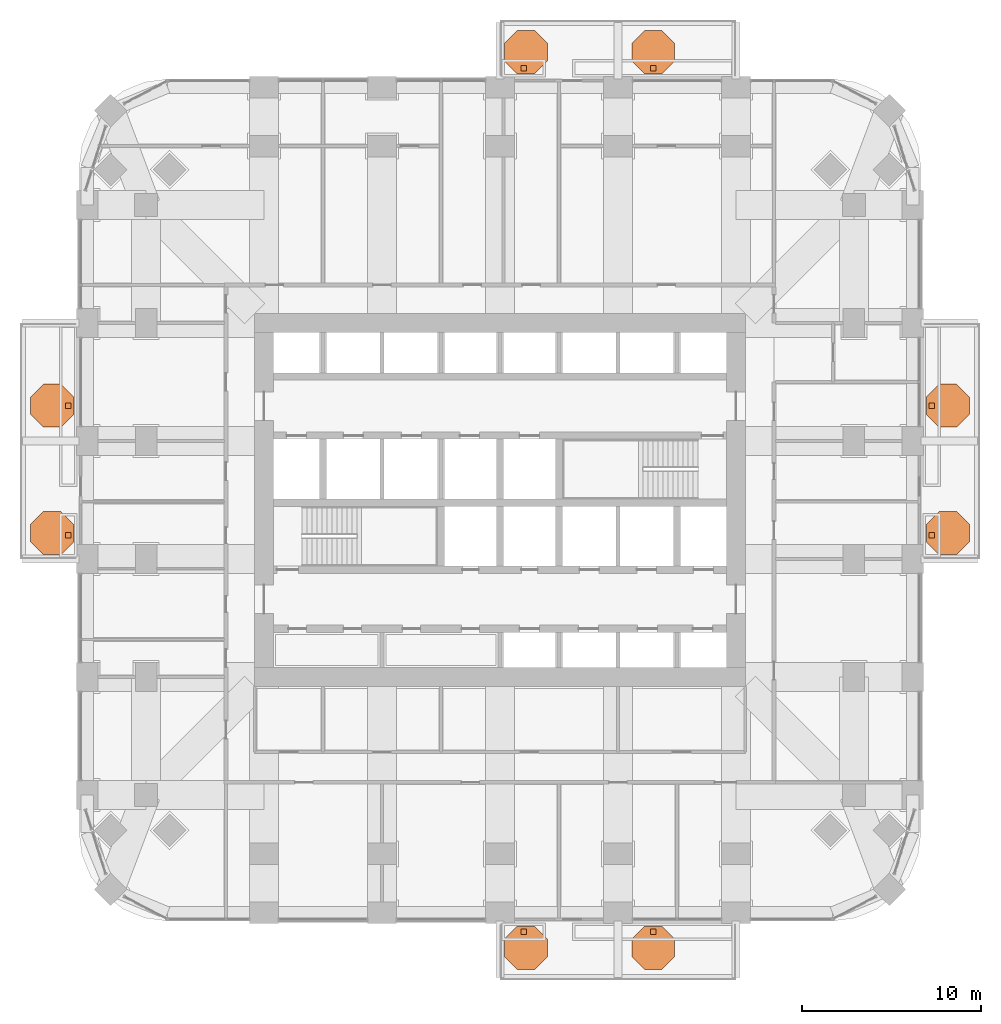
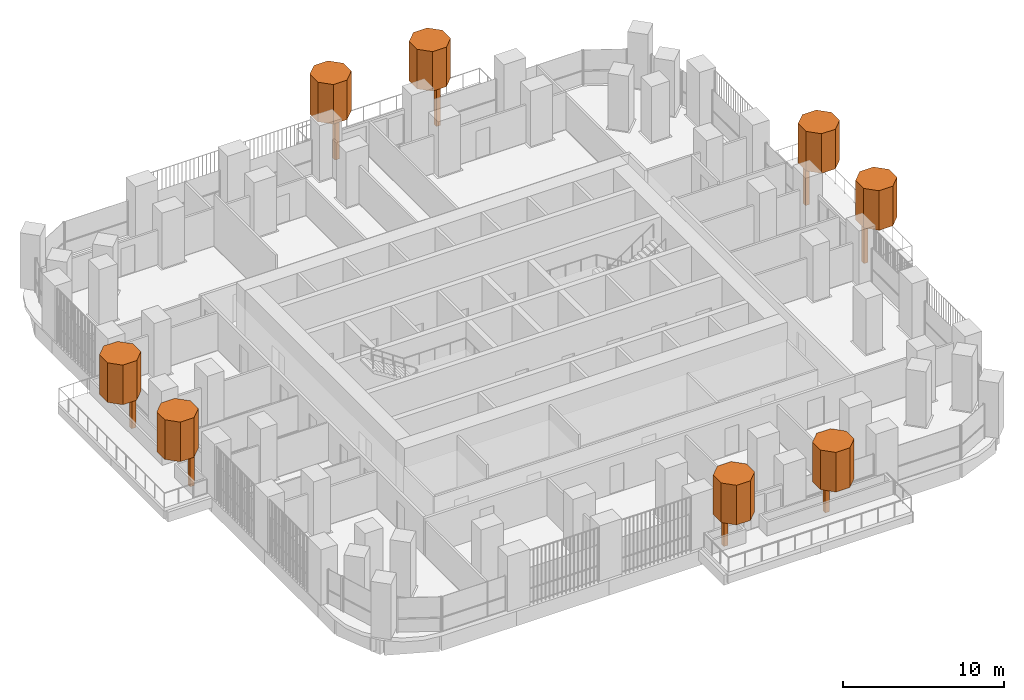
# One storey, part 22 of 22: 16 geographic elements.
"""IFC4 building model written with IfcOpenShell, lengths in metres."""

from ifc_helpers import new_model, si_unit, direction, frame, origin, origin_2d, place, context, subcontext, project, spatial, polyline, rectangle, outline, extrude, material, type_object, element, save


model = new_model("IFC4")

# Units and contexts
model_context = context("Model", 3, precision=1e-05, world=origin(), true_north=direction((0.0, 1.0)))
body_context = subcontext(model_context, "Body", "Model", "MODEL_VIEW")
ifc_project = project(units=[si_unit("LENGTHUNIT", "METRE"), si_unit("AREAUNIT", "SQUARE_METRE"), si_unit("VOLUMEUNIT", "CUBIC_METRE"), si_unit("PLANEANGLEUNIT", "RADIAN"), si_unit("MASSUNIT", "GRAM", prefix="KILO")], contexts=[model_context])

# Site, building, storey
site_placement = place(None, origin())
site = spatial("IfcSite", under=ifc_project, at=site_placement, CompositionType="ELEMENT")
building_placement = place(site_placement, origin())
building = spatial("IfcBuilding", under=site, at=building_placement, Name="Cobogo Forest Laboratory Tower", CompositionType="ELEMENT")
storey_placement = place(building_placement, frame((0.0, 0.0, 136.800048828125)))
storey = spatial("IfcBuildingStorey", under=building, at=storey_placement, Name="L31", CompositionType="ELEMENT", Elevation=136.800048828125)

# Geographic elements
ifc_material = material(Name="Planting", Category="plant")
geographic_element_type_1 = type_object("IfcGeographicElementType", Name="Tree trunk 300", PredefinedType="USERDEFINED", material=ifc_material)
for number, where, z_axis, x_axis, name in (
    (1, (27.72509765625, -1.050048828125, 0.0), (0.0, 0.0, 1.0), (1.0, 0.0, 0.0), "Tree trunk BAL-S1-PL1 L31"),
    (2, (34.97509765625, -1.050048828125, 0.0), (0.0, 0.0, 1.0), (1.0, 0.0, 0.0), "Tree trunk BAL-S1-PL2 L31"),
    (3, (50.550048828125, 21.125, 0.0), (0.0, 0.0, 1.0), (1.0, 0.0, 0.0), "Tree trunk BAL-E1-PL1 L31"),
    (4, (50.550048828125, 28.375, 0.0), (0.0, 0.0, 1.0), (1.0, 0.0, 0.0), "Tree trunk BAL-E1-PL2 L31"),
    (5, (27.72509765625, 47.25, 0.0), (0.0, 0.0, 1.0), (1.0, 0.0, 0.0), "Tree trunk BAL-N1-PL1 L31"),
    (6, (34.97509765625, 47.25, 0.0), (0.0, 0.0, 1.0), (1.0, 0.0, 0.0), "Tree trunk BAL-N1-PL2 L31"),
    (7, (2.25, 21.125, 0.0), (0.0, 0.0, 1.0), (1.0, 0.0, 0.0), "Tree trunk BAL-W1-PL1 L31"),
    (8, (2.25, 28.375, 0.0), (0.0, 0.0, 1.0), (1.0, 0.0, 0.0), "Tree trunk BAL-W1-PL2 L31"),
):
    element("IfcGeographicElement", number, at=place(storey_placement, frame(where, z_axis=z_axis, x_axis=x_axis)), inside=storey, type_object=geographic_element_type_1, Name=name, ObjectType="TREE TRUNK", PredefinedType="USERDEFINED", context=body_context, shape_type="SweptSolid", body=[
        extrude(rectangle(XDim=0.300048828125, YDim=0.300048828125, at=origin_2d()), origin(), (0.0, 0.0, 1.0), 2.89990234375),
    ])
geographic_element_type_2 = type_object("IfcGeographicElementType", Name="Tree, holm oak 5 m", PredefinedType="USERDEFINED", material=ifc_material)
geographic_element_1_placement = place(storey_placement, frame((0.0, 0.0, 2.89990234375)))
element("IfcGeographicElement", 9, at=geographic_element_1_placement, inside=storey, type_object=geographic_element_type_2, Name="Holm tree BAL-S1-PL1 L31", ObjectType="TREE", PredefinedType="USERDEFINED", context=body_context, shape_type="SweptSolid", body=[
    extrude(outline(polyline([(29.050048828125, -2.447021484375), (29.050048828125, -1.452880859375), (28.34716796875, -0.75), (27.35302734375, -0.75), (26.64990234375, -1.452880859375), (26.64990234375, -2.447021484375), (27.35302734375, -3.14990234375), (28.34716796875, -3.14990234375), (29.050048828125, -2.447021484375)])), origin(), (0.0, 0.0, 1.0), 3.0),
])
geographic_element_2_placement = place(storey_placement, frame((0.0, 0.0, 2.89990234375)))
element("IfcGeographicElement", 10, at=geographic_element_2_placement, inside=storey, type_object=geographic_element_type_2, Name="Holm tree BAL-S1-PL2 L31", ObjectType="TREE", PredefinedType="USERDEFINED", context=body_context, shape_type="SweptSolid", body=[
    extrude(outline(polyline([(36.175048828125, -2.447021484375), (36.175048828125, -1.452880859375), (35.47216796875, -0.75), (34.47802734375, -0.75), (33.77490234375, -1.452880859375), (33.77490234375, -2.447021484375), (34.47802734375, -3.14990234375), (35.47216796875, -3.14990234375), (36.175048828125, -2.447021484375)])), origin(), (0.0, 0.0, 1.0), 3.0),
])
geographic_element_3_placement = place(storey_placement, frame((0.0, 0.0, 2.89990234375)))
element("IfcGeographicElement", 11, at=geographic_element_3_placement, inside=storey, type_object=geographic_element_type_2, Name="Holm tree BAL-E1-PL1 L31", ObjectType="TREE", PredefinedType="USERDEFINED", context=body_context, shape_type="SweptSolid", body=[
    extrude(outline(polyline([(52.64990234375, 20.7529296875), (52.64990234375, 21.7470703125), (51.947021484375, 22.449951171875), (50.952880859375, 22.449951171875), (50.25, 21.7470703125), (50.25, 20.7529296875), (50.952880859375, 20.050048828125), (51.947021484375, 20.050048828125), (52.64990234375, 20.7529296875)])), origin(), (0.0, 0.0, 1.0), 3.0),
])
geographic_element_4_placement = place(storey_placement, frame((0.0, 0.0, 2.89990234375)))
element("IfcGeographicElement", 12, at=geographic_element_4_placement, inside=storey, type_object=geographic_element_type_2, Name="Holm tree BAL-E1-PL2 L31", ObjectType="TREE", PredefinedType="USERDEFINED", context=body_context, shape_type="SweptSolid", body=[
    extrude(outline(polyline([(52.64990234375, 27.8779296875), (52.64990234375, 28.8720703125), (51.947021484375, 29.574951171875), (50.952880859375, 29.574951171875), (50.25, 28.8720703125), (50.25, 27.8779296875), (50.952880859375, 27.175048828125), (51.947021484375, 27.175048828125), (52.64990234375, 27.8779296875)])), origin(), (0.0, 0.0, 1.0), 3.0),
])
geographic_element_5_placement = place(storey_placement, frame((0.0, 0.0, 2.89990234375)))
element("IfcGeographicElement", 13, at=geographic_element_5_placement, inside=storey, type_object=geographic_element_type_2, Name="Holm tree BAL-N1-PL1 L31", ObjectType="TREE", PredefinedType="USERDEFINED", context=body_context, shape_type="SweptSolid", body=[
    extrude(outline(polyline([(29.050048828125, 47.65283203125), (29.050048828125, 48.64697265625), (28.34716796875, 49.35009765625), (27.35302734375, 49.35009765625), (26.64990234375, 48.64697265625), (26.64990234375, 47.65283203125), (27.35302734375, 46.949951171875), (28.34716796875, 46.949951171875), (29.050048828125, 47.65283203125)])), origin(), (0.0, 0.0, 1.0), 3.0),
])
geographic_element_6_placement = place(storey_placement, frame((0.0, 0.0, 2.89990234375)))
element("IfcGeographicElement", 14, at=geographic_element_6_placement, inside=storey, type_object=geographic_element_type_2, Name="Holm tree BAL-N1-PL2 L31", ObjectType="TREE", PredefinedType="USERDEFINED", context=body_context, shape_type="SweptSolid", body=[
    extrude(outline(polyline([(36.175048828125, 47.65283203125), (36.175048828125, 48.64697265625), (35.47216796875, 49.35009765625), (34.47802734375, 49.35009765625), (33.77490234375, 48.64697265625), (33.77490234375, 47.65283203125), (34.47802734375, 46.949951171875), (35.47216796875, 46.949951171875), (36.175048828125, 47.65283203125)])), origin(), (0.0, 0.0, 1.0), 3.0),
])
geographic_element_7_placement = place(storey_placement, frame((0.0, 0.0, 2.89990234375)))
element("IfcGeographicElement", 15, at=geographic_element_7_placement, inside=storey, type_object=geographic_element_type_2, Name="Holm tree BAL-W1-PL1 L31", ObjectType="TREE", PredefinedType="USERDEFINED", context=body_context, shape_type="SweptSolid", body=[
    extrude(outline(polyline([(2.550048828125, 20.7529296875), (2.550048828125, 21.7470703125), (1.84716796875, 22.449951171875), (0.85302734375, 22.449951171875), (0.14990234375, 21.7470703125), (0.14990234375, 20.7529296875), (0.85302734375, 20.050048828125), (1.84716796875, 20.050048828125), (2.550048828125, 20.7529296875)])), origin(), (0.0, 0.0, 1.0), 3.0),
])
geographic_element_8_placement = place(storey_placement, frame((0.0, 0.0, 2.89990234375)))
element("IfcGeographicElement", 16, at=geographic_element_8_placement, inside=storey, type_object=geographic_element_type_2, Name="Holm tree BAL-W1-PL2 L31", ObjectType="TREE", PredefinedType="USERDEFINED", context=body_context, shape_type="SweptSolid", body=[
    extrude(outline(polyline([(2.550048828125, 27.8779296875), (2.550048828125, 28.8720703125), (1.84716796875, 29.574951171875), (0.85302734375, 29.574951171875), (0.14990234375, 28.8720703125), (0.14990234375, 27.8779296875), (0.85302734375, 27.175048828125), (1.84716796875, 27.175048828125), (2.550048828125, 27.8779296875)])), origin(), (0.0, 0.0, 1.0), 3.0),
])

save(model, "model.ifc")
